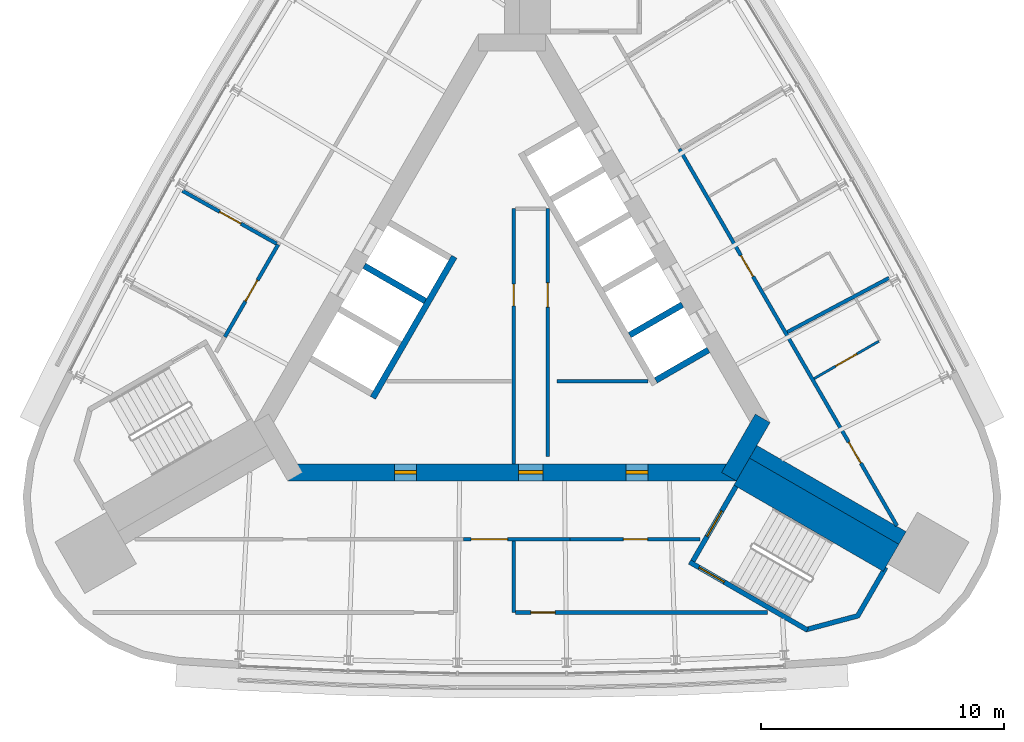
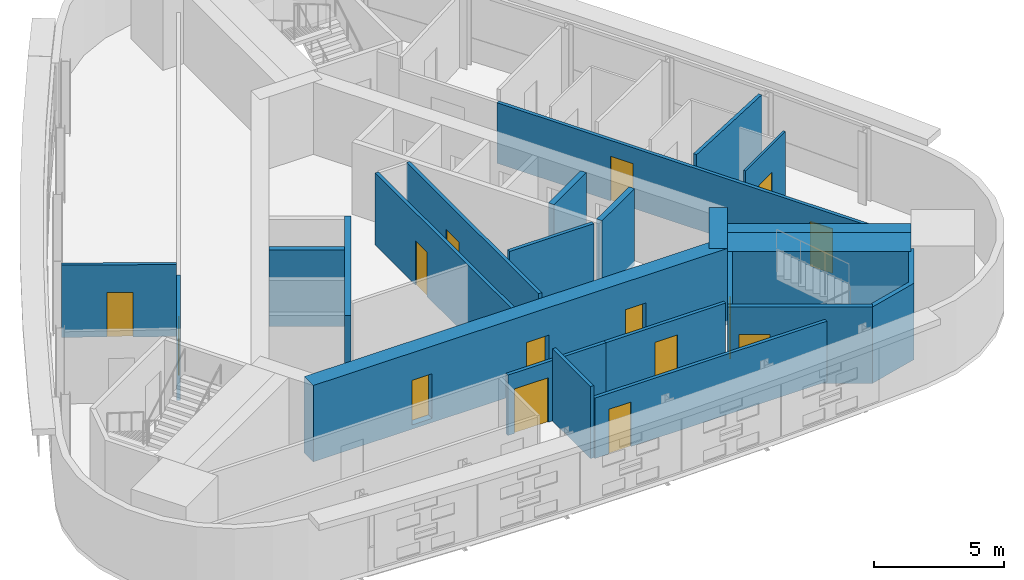
# One storey, part 6 of 10: 23 walls, 15 doors, 15 openings.
"""IFC4 building model written with IfcOpenShell, lengths in metres."""

from ifc_helpers import new_model, si_unit, direction, frame, frame_2d, origin, place, context, subcontext, project, spatial, polyline, rectangle, outline, extrude, material, layer, layer_set, type_object, element, fill, save


model = new_model("IFC4")

# Units and contexts
model_context = context("Model", 3, precision=1e-05, world=origin(), true_north=direction((0.0, 1.0)))
body_context = subcontext(model_context, "Body", "Model", "MODEL_VIEW")
ifc_project = project(units=[si_unit("LENGTHUNIT", "METRE"), si_unit("AREAUNIT", "SQUARE_METRE"), si_unit("VOLUMEUNIT", "CUBIC_METRE"), si_unit("PLANEANGLEUNIT", "RADIAN"), si_unit("MASSUNIT", "GRAM", prefix="KILO")], contexts=[model_context])

# Site, building, storey
site_placement = place(None, origin())
site = spatial("IfcSite", under=ifc_project, at=site_placement, CompositionType="ELEMENT")
building_placement = place(site_placement, origin())
building = spatial("IfcBuilding", under=site, at=building_placement, Name="Noor Cloister Tower", CompositionType="ELEMENT")
storey_placement = place(building_placement, frame((0.0, 0.0, 243.60009765625)))
storey = spatial("IfcBuildingStorey", under=building, at=storey_placement, Name="L63", CompositionType="ELEMENT", Elevation=243.60009765625)

# Wall
ifc_material_1 = material(Name="Concrete C60/75", Category="concrete")
ifc_layer_1 = layer(ifc_material_1, 0.60009765625)
ifc_layer_set_1 = layer_set([ifc_layer_1], Name="Buttress wall 600 C60/75")
wall_type_1 = type_object("IfcWallType", Name="Buttress wall 600 C60/75", PredefinedType="SHEAR", material=ifc_layer_set_1)
wall_1_placement = place(storey_placement, frame((9.921630859375, -5.728271484375, -0.2001953125), z_axis=(0.0, 0.0, 1.0), x_axis=(0.866029688112, -0.499992579254, 0.0)))
element("IfcWall", 1, at=wall_1_placement, inside=storey, type_object=wall_type_1, Name="Buttress wall SE L63", PredefinedType="SHEAR", context=body_context, shape_type="SweptSolid", body=[
    extrude(rectangle(XDim=7.09326171875, YDim=0.60009765625, at=frame_2d((3.546630859375, 0.0))), origin(), (0.0, 0.0, 1.0), 3.60009765625),
])

# Wall, opening, door
ifc_material_2 = material(Name="Concrete C30/37", Category="concrete")
ifc_layer_2 = layer(ifc_material_2, 0.14990234375)
ifc_layer_set_2 = layer_set([ifc_layer_2], Name="Core partition 150 C30/37")
wall_type_2 = type_object("IfcWallType", Name="Core partition 150 C30/37", PredefinedType="PARTITIONING", material=ifc_layer_set_2)
wall_2_placement = place(storey_placement, frame((0.0712890625, 4.271728515625, 0.0), z_axis=(0.0, 0.0, 1.0), x_axis=(0.0, -1.0, 0.0)))
wall_2 = element("IfcWall", 2, at=wall_2_placement, inside=storey, type_object=wall_type_2, Name="Core room partition L63 2", PredefinedType="PARTITIONING", context=body_context, shape_type="SweptSolid", body=[
    extrude(rectangle(XDim=10.5, YDim=0.14990234375, at=frame_2d((5.25, 0.0))), origin(), (0.0, 0.0, 1.0), 3.39990234375),
])
opening_1_placement = place(wall_2_placement, frame((3.10107421875, 0.0, 0.0)))
opening_1 = element("IfcOpeningElement", 3, at=opening_1_placement, cuts=wall_2, Name="Opening L63-904", PredefinedType="OPENING", context=body_context, shape_type="SweptSolid", body=[
    extrude(rectangle(XDim=0.89990234375, YDim=2.10009765625, at=frame_2d((0.449951171875, 1.050048828125))), frame((0.0, 0.0849609375, 0.0), z_axis=(0.0, -1.0, 0.0), x_axis=(1.0, 0.0, 0.0)), (0.0, 0.0, 1.0), 0.169921875),
])
ifc_material_3 = material(Name="Steel", Category="steel")
door_type_1 = type_object("IfcDoorType", Name="Core door 900 x 2100 FD120", OperationType="SINGLE_SWING_LEFT", PredefinedType="DOOR", material=ifc_material_3)
door_1_placement = place(opening_1_placement, origin())
door_1 = element("IfcDoor", 4, at=door_1_placement, inside=storey, type_object=door_type_1, Name="Core door 4 L63", OperationType="SINGLE_SWING_RIGHT", OverallHeight=2.10009765625, OverallWidth=0.89990234375, PredefinedType="DOOR", context=body_context, shape_type="SweptSolid", body=[
    extrude(rectangle(XDim=0.89990234375, YDim=2.10009765625, at=frame_2d((0.449951171875, 1.050048828125))), frame((0.0, 0.02490234375, 0.0), z_axis=(0.0, -1.0, 0.0), x_axis=(1.0, 0.0, 0.0)), (0.0, 0.0, 1.0), 0.050048828125),
])
fill(opening_1, door_1)

wall_3_placement = place(storey_placement, frame((1.47119140625, -5.92822265625, 0.0), z_axis=(0.0, 0.0, 1.0), x_axis=(0.0, 1.0, 0.0)))
wall_3 = element("IfcWall", 5, at=wall_3_placement, inside=storey, type_object=wall_type_2, Name="Core room partition L63 4", PredefinedType="PARTITIONING", context=body_context, shape_type="SweptSolid", body=[
    extrude(rectangle(XDim=10.206298828125, YDim=0.14990234375, at=frame_2d((5.10302734375, 0.0))), origin(), (0.0, 0.0, 1.0), 3.39990234375),
])
opening_2_placement = place(wall_3_placement, frame((6.14990234375, 0.0, 0.0)))
opening_2 = element("IfcOpeningElement", 6, at=opening_2_placement, cuts=wall_3, Name="Opening L63-905", PredefinedType="OPENING", context=body_context, shape_type="SweptSolid", body=[
    extrude(rectangle(XDim=1.0, YDim=2.10009765625, at=frame_2d((0.5, 1.050048828125))), frame((0.0, 0.0849609375, 0.0), z_axis=(0.0, -1.0, 0.0), x_axis=(1.0, 0.0, 0.0)), (0.0, 0.0, 1.0), 0.169921875),
])
ifc_material_4 = material(Name="Steel", Category="steel")
door_type_2 = type_object("IfcDoorType", Name="Core door 1000 x 2100 FD60", OperationType="SINGLE_SWING_LEFT", PredefinedType="DOOR", material=ifc_material_4)
door_2_placement = place(opening_2_placement, origin())
door_2 = element("IfcDoor", 7, at=door_2_placement, inside=storey, type_object=door_type_2, Name="Core door 5 L63", OperationType="SINGLE_SWING_LEFT", OverallHeight=2.10009765625, OverallWidth=1.0, PredefinedType="DOOR", context=body_context, shape_type="SweptSolid", body=[
    extrude(rectangle(XDim=1.0, YDim=2.10009765625, at=frame_2d((0.5, 1.050048828125))), frame((0.0, 0.02490234375, 0.0), z_axis=(0.0, -1.0, 0.0), x_axis=(1.0, 0.0, 0.0)), (0.0, 0.0, 1.0), 0.050048828125),
])
fill(opening_2, door_2)

# Wall
wall_4_placement = place(storey_placement, frame((1.84619140625, -2.828125, 0.0), z_axis=(0.0, 0.0, 1.0), x_axis=(1.0, 0.0, 0.0)))
element("IfcWall", 8, at=wall_4_placement, inside=storey, type_object=wall_type_2, Name="Core room partition L63 5", PredefinedType="PARTITIONING", context=body_context, shape_type="SweptSolid", body=[
    extrude(rectangle(XDim=3.7578125, YDim=0.14990234375, at=frame_2d((1.87890625, 0.0))), origin(), (0.0, 0.0, 1.0), 3.39990234375),
])

# Wall, openings, doors
ifc_material_5 = material(Name="Concrete C60/75", Category="concrete")
ifc_layer_3 = layer(ifc_material_5, 0.699951171875)
ifc_layer_set_3 = layer_set([ifc_layer_3], Name="Core wall 700 C60/75")
wall_type_3 = type_object("IfcWallType", Name="Core wall 700 C60/75", PredefinedType="SHEAR", material=ifc_layer_set_3)
wall_5_placement = place(storey_placement, frame((-9.228759765625, -6.578125, -0.2001953125), z_axis=(0.0, 0.0, 1.0), x_axis=(1.0, 0.0, 0.0)))
wall_5 = element("IfcWall", 9, at=wall_5_placement, inside=storey, type_object=wall_type_3, Name="Core wall L63 1", PredefinedType="SHEAR", context=body_context, shape_type="SweptSolid", body=[
    extrude(rectangle(XDim=18.45751953125, YDim=0.699951171875, at=frame_2d((9.228759765625, 0.0))), origin(), (0.0, 0.0, 1.0), 3.60009765625),
])
opening_3_placement = place(wall_5_placement, frame((9.5, 0.0, 0.199951171875)))
opening_3 = element("IfcOpeningElement", 10, at=opening_3_placement, cuts=wall_5, Name="Opening L63-901", PredefinedType="OPENING", context=body_context, shape_type="SweptSolid", body=[
    extrude(rectangle(XDim=1.0, YDim=2.10009765625, at=frame_2d((0.5, 1.050048828125))), frame((0.0, 0.35986328125, 0.0), z_axis=(0.0, -1.0, 0.0), x_axis=(1.0, 0.0, 0.0)), (0.0, 0.0, 1.0), 0.719970703125),
])
opening_4_placement = place(wall_5_placement, frame((4.402099609375, 0.0, 0.199951171875)))
opening_4 = element("IfcOpeningElement", 11, at=opening_4_placement, cuts=wall_5, Name="Opening L63-902", PredefinedType="OPENING", context=body_context, shape_type="SweptSolid", body=[
    extrude(rectangle(XDim=0.89990234375, YDim=2.10009765625, at=frame_2d((0.449951171875, 1.050048828125))), frame((0.0, 0.35986328125, 0.0), z_axis=(0.0, -1.0, 0.0), x_axis=(1.0, 0.0, 0.0)), (0.0, 0.0, 1.0), 0.719970703125),
])
opening_5_placement = place(wall_5_placement, frame((13.9267578125, 0.0, 0.199951171875)))
opening_5 = element("IfcOpeningElement", 12, at=opening_5_placement, cuts=wall_5, Name="Opening L63-903", PredefinedType="OPENING", context=body_context, shape_type="SweptSolid", body=[
    extrude(rectangle(XDim=0.89990234375, YDim=2.10009765625, at=frame_2d((0.449951171875, 1.050048828125))), frame((0.0, 0.35986328125, 0.0), z_axis=(0.0, -1.0, 0.0), x_axis=(1.0, 0.0, 0.0)), (0.0, 0.0, 1.0), 0.719970703125),
])
ifc_material_6 = material(Name="Steel", Category="steel")
door_type_3 = type_object("IfcDoorType", Name="Core door 1000 x 2100 FD120", OperationType="SINGLE_SWING_LEFT", PredefinedType="DOOR", material=ifc_material_6)
door_3_placement = place(opening_3_placement, origin())
door_3 = element("IfcDoor", 13, at=door_3_placement, inside=storey, type_object=door_type_3, Name="Core door 1 L63", OperationType="SINGLE_SWING_LEFT", OverallHeight=2.10009765625, OverallWidth=1.0, PredefinedType="DOOR", context=body_context, shape_type="SweptSolid", body=[
    extrude(rectangle(XDim=1.0, YDim=2.10009765625, at=frame_2d((0.5, 1.050048828125))), frame((0.0, 0.074951171875, 0.0), z_axis=(0.0, -1.0, 0.0), x_axis=(1.0, 0.0, 0.0)), (0.0, 0.0, 1.0), 0.14990234375),
])
fill(opening_3, door_3)
door_4_placement = place(opening_5_placement, origin())
door_4 = element("IfcDoor", 14, at=door_4_placement, inside=storey, type_object=door_type_1, Name="Core door 3 L63", OperationType="SINGLE_SWING_LEFT", OverallHeight=2.10009765625, OverallWidth=0.89990234375, PredefinedType="DOOR", context=body_context, shape_type="SweptSolid", body=[
    extrude(rectangle(XDim=0.89990234375, YDim=2.10009765625, at=frame_2d((0.449951171875, 1.050048828125))), frame((0.0, 0.074951171875, 0.0), z_axis=(0.0, -1.0, 0.0), x_axis=(1.0, 0.0, 0.0)), (0.0, 0.0, 1.0), 0.14990234375),
])
fill(opening_5, door_4)
ifc_material_7 = material(Name="Steel", Category="steel")
door_type_4 = type_object("IfcDoorType", Name="Core door 900 x 2100 FD60", OperationType="SINGLE_SWING_LEFT", PredefinedType="DOOR", material=ifc_material_7)
door_5_placement = place(opening_4_placement, origin())
door_5 = element("IfcDoor", 15, at=door_5_placement, inside=storey, type_object=door_type_4, Name="Core door 2 L63", OperationType="SINGLE_SWING_RIGHT", OverallHeight=2.10009765625, OverallWidth=0.89990234375, PredefinedType="DOOR", context=body_context, shape_type="SweptSolid", body=[
    extrude(rectangle(XDim=0.89990234375, YDim=2.10009765625, at=frame_2d((0.449951171875, 1.050048828125))), frame((0.0, 0.074951171875, 0.0), z_axis=(0.0, -1.0, 0.0), x_axis=(1.0, 0.0, 0.0)), (0.0, 0.0, 1.0), 0.14990234375),
])
fill(opening_4, door_5)

# Wall
wall_6_placement = place(storey_placement, frame((8.925537109375, -6.753173828125, -0.2001953125), z_axis=(0.0, 0.0, 1.0), x_axis=(0.500042739161, 0.866000726912, 0.0)))
element("IfcWall", 16, at=wall_6_placement, inside=storey, type_object=wall_type_3, Name="Core wall L63 2", PredefinedType="SHEAR", context=body_context, shape_type="SweptSolid", body=[
    extrude(rectangle(XDim=2.771240234375, YDim=0.699951171875, at=frame_2d((1.3857421875, 0.0))), origin(), (0.0, 0.0, 1.0), 3.60009765625),
])

# Wall, opening, door
ifc_material_8 = material(Name="Fire-rated gypsum board partition on steel studs, 150 mm", Category="steel")
ifc_layer_4 = layer(ifc_material_8, 0.14990234375)
ifc_layer_set_4 = layer_set([ifc_layer_4], Name="Fire lobby wall 150")
wall_type_4 = type_object("IfcWallType", Name="Fire lobby wall 150", PredefinedType="PARTITIONING", material=ifc_layer_set_4)
wall_7_placement = place(storey_placement, frame((-9.619873046875, 2.794189453125, 0.0), z_axis=(0.0, 0.0, 1.0), x_axis=(-0.500021421018, -0.866013036001, 0.0)))
wall_7 = element("IfcWall", 17, at=wall_7_placement, inside=storey, type_object=wall_type_4, Name="Wall L63-W25", PredefinedType="PARTITIONING", context=body_context, shape_type="SweptSolid", body=[
    extrude(rectangle(XDim=4.382568359375, YDim=0.14990234375, at=frame_2d((2.19140625, 0.0))), origin(), (0.0, 0.0, 1.0), 2.851806640625),
])
opening_6_placement = place(wall_7_placement, frame((1.69140625, 0.0, 0.0)))
opening_6 = element("IfcOpeningElement", 18, at=opening_6_placement, cuts=wall_7, Name="Opening L63-014", PredefinedType="OPENING", context=body_context, shape_type="SweptSolid", body=[
    extrude(rectangle(XDim=1.0, YDim=2.10009765625, at=frame_2d((0.5, 1.050048828125))), frame((0.0, 0.0849609375, 0.0), z_axis=(0.0, -1.0, 0.0), x_axis=(1.0, 0.0, 0.0)), (0.0, 0.0, 1.0), 0.169921875),
])
ifc_material_9 = material(Name="Timber door leaf with steel frame", Category="steel")
door_type_5 = type_object("IfcDoorType", Name="Fire lobby door 1000", OperationType="NOTDEFINED", PredefinedType="DOOR", material=ifc_material_9)
door_6_placement = place(opening_6_placement, origin())
door_6 = element("IfcDoor", 19, at=door_6_placement, inside=storey, type_object=door_type_5, Name="Door L63-014", OperationType="SINGLE_SWING_RIGHT", OverallHeight=2.10009765625, OverallWidth=1.0, PredefinedType="DOOR", context=body_context, shape_type="SweptSolid", body=[
    extrude(rectangle(XDim=1.0, YDim=2.10009765625, at=frame_2d((0.5, 1.050048828125))), frame((0.0, 0.02490234375, 0.0), z_axis=(0.0, -1.0, 0.0), x_axis=(1.0, 0.0, 0.0)), (0.0, 0.0, 1.0), 0.050048828125),
])
fill(opening_6, door_6)

# Wall, openings, doors
ifc_material_10 = material(Name="Gypsum board partition on steel studs, 150 mm", Category="steel")
ifc_layer_5 = layer(ifc_material_10, 0.14990234375)
ifc_layer_set_5 = layer_set([ifc_layer_5], Name="Flat wall 150")
wall_type_5 = type_object("IfcWallType", Name="Flat wall 150", PredefinedType="PARTITIONING", material=ifc_layer_set_5)
wall_8_placement = place(storey_placement, frame((15.835693359375, -8.771728515625, 0.0), z_axis=(0.0, 0.0, 1.0), x_axis=(-0.500001479768, 0.866024549438, 0.0)))
wall_8 = element("IfcWall", 20, at=wall_8_placement, inside=storey, type_object=wall_type_5, Name="Wall L63-W01", PredefinedType="PARTITIONING", context=body_context, shape_type="SweptSolid", body=[
    extrude(rectangle(XDim=17.89990234375, YDim=0.14990234375, at=frame_2d((8.949951171875, 0.0))), origin(), (0.0, 0.0, 1.0), 2.851806640625),
])
opening_7_placement = place(wall_8_placement, frame((2.972900390625, 0.0, 0.0)))
opening_7 = element("IfcOpeningElement", 21, at=opening_7_placement, cuts=wall_8, Name="Opening L63-003", PredefinedType="OPENING", context=body_context, shape_type="SweptSolid", body=[
    extrude(rectangle(XDim=1.0, YDim=2.10009765625, at=frame_2d((0.5, 1.050048828125))), frame((0.0, 0.0849609375, 0.0), z_axis=(0.0, -1.0, 0.0), x_axis=(1.0, 0.0, 0.0)), (0.0, 0.0, 1.0), 0.169921875),
])
opening_8_placement = place(wall_8_placement, frame((11.83740234375, 0.0, 0.0)))
opening_8 = element("IfcOpeningElement", 22, at=opening_8_placement, cuts=wall_8, Name="Opening L63-005", PredefinedType="OPENING", context=body_context, shape_type="SweptSolid", body=[
    extrude(rectangle(XDim=1.0, YDim=2.10009765625, at=frame_2d((0.5, 1.050048828125))), frame((0.0, 0.0849609375, 0.0), z_axis=(0.0, -1.0, 0.0), x_axis=(1.0, 0.0, 0.0)), (0.0, 0.0, 1.0), 0.169921875),
])
ifc_material_11 = material(Name="Timber door leaf with steel frame", Category="steel")
door_type_6 = type_object("IfcDoorType", Name="Flat entrance door 1000", OperationType="NOTDEFINED", PredefinedType="DOOR", material=ifc_material_11)
door_7_placement = place(opening_7_placement, origin())
door_7 = element("IfcDoor", 23, at=door_7_placement, inside=storey, type_object=door_type_6, Name="Door L63-003", OperationType="SINGLE_SWING_LEFT", OverallHeight=2.10009765625, OverallWidth=1.0, PredefinedType="DOOR", context=body_context, shape_type="SweptSolid", body=[
    extrude(rectangle(XDim=1.0, YDim=2.10009765625, at=frame_2d((0.5, 1.050048828125))), frame((0.0, 0.02490234375, 0.0), z_axis=(0.0, -1.0, 0.0), x_axis=(1.0, 0.0, 0.0)), (0.0, 0.0, 1.0), 0.050048828125),
])
fill(opening_7, door_7)
door_8_placement = place(opening_8_placement, origin())
door_8 = element("IfcDoor", 24, at=door_8_placement, inside=storey, type_object=door_type_6, Name="Door L63-005", OperationType="SINGLE_SWING_LEFT", OverallHeight=2.10009765625, OverallWidth=1.0, PredefinedType="DOOR", context=body_context, shape_type="SweptSolid", body=[
    extrude(rectangle(XDim=1.0, YDim=2.10009765625, at=frame_2d((0.5, 1.050048828125))), frame((0.0, 0.02490234375, 0.0), z_axis=(0.0, -1.0, 0.0), x_axis=(1.0, 0.0, 0.0)), (0.0, 0.0, 1.0), 0.050048828125),
])
fill(opening_8, door_8)

# Wall
wall_9_placement = place(storey_placement, frame((15.51806640625, 1.42529296875, 0.0), z_axis=(0.0, 0.0, 1.0), x_axis=(-0.882718227231, -0.469902682812, 0.0)))
element("IfcWall", 25, at=wall_9_placement, inside=storey, type_object=wall_type_5, Name="Wall L63-W08", PredefinedType="PARTITIONING", context=body_context, shape_type="SweptSolid", body=[
    extrude(rectangle(XDim=4.751220703125, YDim=0.14990234375, at=frame_2d((2.37548828125, 0.0))), origin(), (0.0, 0.0, 1.0), 3.39990234375),
])

# Wall, opening, door
wall_10_placement = place(storey_placement, frame((2.385498046875, -9.328125, 0.0), z_axis=(0.0, 0.0, 1.0), x_axis=(1.0, 0.0, 0.0)))
wall_10 = element("IfcWall", 26, at=wall_10_placement, inside=storey, type_object=wall_type_5, Name="Wall L63-W15", PredefinedType="PARTITIONING", context=body_context, shape_type="SweptSolid", body=[
    extrude(rectangle(XDim=5.342041015625, YDim=0.14990234375, at=frame_2d((2.6708984375, 0.0))), origin(), (0.0, 0.0, 1.0), 2.851806640625),
])
opening_9_placement = place(wall_10_placement, frame((2.196044921875, 0.0, 0.0)))
opening_9 = element("IfcOpeningElement", 27, at=opening_9_placement, cuts=wall_10, Name="Opening L63-013", PredefinedType="OPENING", context=body_context, shape_type="SweptSolid", body=[
    extrude(rectangle(XDim=1.0, YDim=2.10009765625, at=frame_2d((0.5, 1.050048828125))), frame((0.0, 0.0849609375, 0.0), z_axis=(0.0, -1.0, 0.0), x_axis=(1.0, 0.0, 0.0)), (0.0, 0.0, 1.0), 0.169921875),
])
ifc_material_12 = material(Name="Timber door leaf with steel frame", Category="steel")
door_type_7 = type_object("IfcDoorType", Name="Interior door 1000 FD60", OperationType="NOTDEFINED", PredefinedType="DOOR", material=ifc_material_12)
door_9_placement = place(opening_9_placement, origin())
door_9 = element("IfcDoor", 28, at=door_9_placement, inside=storey, type_object=door_type_7, Name="Door L63-013", OperationType="SINGLE_SWING_LEFT", OverallHeight=2.10009765625, OverallWidth=1.0, PredefinedType="DOOR", context=body_context, shape_type="SweptSolid", body=[
    extrude(rectangle(XDim=1.0, YDim=2.10009765625, at=frame_2d((0.5, 1.050048828125))), frame((0.0, 0.02490234375, 0.0), z_axis=(0.0, -1.0, 0.0), x_axis=(1.0, 0.0, 0.0)), (0.0, 0.0, 1.0), 0.050048828125),
])
fill(opening_9, door_9)

wall_11_placement = place(storey_placement, frame((-1.985595703125, -9.328125, 0.0), z_axis=(0.0, 0.0, 1.0), x_axis=(1.0, 0.0, 0.0)))
wall_11 = element("IfcWall", 29, at=wall_11_placement, inside=storey, type_object=wall_type_5, Name="Wall L63-W16", PredefinedType="PARTITIONING", context=body_context, shape_type="SweptSolid", body=[
    extrude(rectangle(XDim=4.37109375, YDim=0.14990234375, at=frame_2d((2.185546875, 0.0))), origin(), (0.0, 0.0, 1.0), 2.851806640625),
])
opening_10_placement = place(wall_11_placement, frame((0.306640625, 0.0, 0.0)))
opening_10 = element("IfcOpeningElement", 30, at=opening_10_placement, cuts=wall_11, Name="Opening L63-009", PredefinedType="OPENING", context=body_context, shape_type="SweptSolid", body=[
    extrude(rectangle(XDim=1.5, YDim=2.10009765625, at=frame_2d((0.75, 1.050048828125))), frame((0.0, 0.0849609375, 0.0), z_axis=(0.0, -1.0, 0.0), x_axis=(1.0, 0.0, 0.0)), (0.0, 0.0, 1.0), 0.169921875),
])
ifc_material_13 = material(Name="Timber door leaf with steel frame", Category="steel")
door_type_8 = type_object("IfcDoorType", Name="Double door 1500 FD60", OperationType="NOTDEFINED", PredefinedType="DOOR", material=ifc_material_13)
door_10_placement = place(opening_10_placement, origin())
door_10 = element("IfcDoor", 31, at=door_10_placement, inside=storey, type_object=door_type_8, Name="Door L63-009", OperationType="DOUBLE_DOOR_SINGLE_SWING", OverallHeight=2.10009765625, OverallWidth=1.5, PredefinedType="DOOR", context=body_context, shape_type="SweptSolid", body=[
    extrude(rectangle(XDim=1.5, YDim=2.10009765625, at=frame_2d((0.75, 1.050048828125))), frame((0.0, 0.02490234375, 0.0), z_axis=(0.0, -1.0, 0.0), x_axis=(1.0, 0.0, 0.0)), (0.0, 0.0, 1.0), 0.050048828125),
])
fill(opening_10, door_10)

# Wall
wall_12_placement = place(storey_placement, frame((0.077880859375, -9.4033203125, 0.0), z_axis=(0.0, 0.0, 1.0), x_axis=(0.0, -1.0, 0.0)))
element("IfcWall", 32, at=wall_12_placement, inside=storey, type_object=wall_type_5, Name="Wall L63-W18", PredefinedType="PARTITIONING", context=body_context, shape_type="SweptSolid", body=[
    extrude(rectangle(XDim=2.9365234375, YDim=0.14990234375, at=frame_2d((1.46826171875, 0.0))), origin(), (0.0, 0.0, 1.0), 3.39990234375),
])

# Wall, opening, door
wall_13_placement = place(storey_placement, frame((0.153076171875, -12.33984375, 0.0), z_axis=(0.0, 0.0, 1.0), x_axis=(1.0, 0.0, 0.0)))
wall_13 = element("IfcWall", 33, at=wall_13_placement, inside=storey, type_object=wall_type_5, Name="Wall L63-W20", PredefinedType="PARTITIONING", context=body_context, shape_type="SweptSolid", body=[
    extrude(rectangle(XDim=10.34912109375, YDim=0.14990234375, at=frame_2d((5.174560546875, 0.0))), origin(), (0.0, 0.0, 1.0), 2.851806640625),
])
opening_11_placement = place(wall_13_placement, frame((0.625, 0.0, 0.0)))
opening_11 = element("IfcOpeningElement", 34, at=opening_11_placement, cuts=wall_13, Name="Opening L63-012", PredefinedType="OPENING", context=body_context, shape_type="SweptSolid", body=[
    extrude(rectangle(XDim=1.0, YDim=2.10009765625, at=frame_2d((0.5, 1.050048828125))), frame((0.0, 0.0849609375, 0.0), z_axis=(0.0, -1.0, 0.0), x_axis=(1.0, 0.0, 0.0)), (0.0, 0.0, 1.0), 0.169921875),
])
door_11_placement = place(opening_11_placement, origin())
door_11 = element("IfcDoor", 35, at=door_11_placement, inside=storey, type_object=door_type_7, Name="Door L63-012", OperationType="SINGLE_SWING_RIGHT", OverallHeight=2.10009765625, OverallWidth=1.0, PredefinedType="DOOR", context=body_context, shape_type="SweptSolid", body=[
    extrude(rectangle(XDim=1.0, YDim=2.10009765625, at=frame_2d((0.5, 1.050048828125))), frame((0.0, 0.02490234375, 0.0), z_axis=(0.0, -1.0, 0.0), x_axis=(1.0, 0.0, 0.0)), (0.0, 0.0, 1.0), 0.050048828125),
])
fill(opening_11, door_11)

wall_14_placement = place(storey_placement, frame((-13.557861328125, 5.008056640625, 0.0), z_axis=(0.0, 0.0, 1.0), x_axis=(0.871701726161, -0.490036835971, 0.0)))
wall_14 = element("IfcWall", 36, at=wall_14_placement, inside=storey, type_object=wall_type_5, Name="Wall L63-W23", PredefinedType="PARTITIONING", context=body_context, shape_type="SweptSolid", body=[
    extrude(rectangle(XDim=4.442626953125, YDim=0.14990234375, at=frame_2d((2.22119140625, 0.0))), origin(), (0.0, 0.0, 1.0), 3.39990234375),
])
opening_12_placement = place(wall_14_placement, frame((1.7587890625, 0.0, 0.0)))
opening_12 = element("IfcOpeningElement", 37, at=opening_12_placement, cuts=wall_14, Name="Opening L63-015", PredefinedType="OPENING", context=body_context, shape_type="SweptSolid", body=[
    extrude(rectangle(XDim=1.0, YDim=2.10009765625, at=frame_2d((0.5, 1.050048828125))), frame((0.0, 0.0849609375, 0.0), z_axis=(0.0, -1.0, 0.0), x_axis=(1.0, 0.0, 0.0)), (0.0, 0.0, 1.0), 0.169921875),
])
door_12_placement = place(opening_12_placement, origin())
door_12 = element("IfcDoor", 38, at=door_12_placement, inside=storey, type_object=door_type_7, Name="Door L63-015", OperationType="SINGLE_SWING_LEFT", OverallHeight=2.10009765625, OverallWidth=1.0, PredefinedType="DOOR", context=body_context, shape_type="SweptSolid", body=[
    extrude(rectangle(XDim=1.0, YDim=2.10009765625, at=frame_2d((0.5, 1.050048828125))), frame((0.0, 0.02490234375, 0.0), z_axis=(0.0, -1.0, 0.0), x_axis=(1.0, 0.0, 0.0)), (0.0, 0.0, 1.0), 0.050048828125),
])
fill(opening_12, door_12)

ifc_material_14 = material(Name="Gypsum board partition on steel studs, 100 mm", Category="steel")
ifc_layer_6 = layer(ifc_material_14, 0.10009765625)
ifc_layer_set_6 = layer_set([ifc_layer_6], Name="Partition 100")
wall_type_6 = type_object("IfcWallType", Name="Partition 100", PredefinedType="PARTITIONING", material=ifc_layer_set_6)
wall_15_placement = place(storey_placement, frame((15.0908203125, -1.181640625, 0.0), z_axis=(0.0, 0.0, 1.0), x_axis=(-0.866016353143, -0.500015675843, 0.0)))
wall_15 = element("IfcWall", 39, at=wall_15_placement, inside=storey, type_object=wall_type_6, Name="Wall L63-W07", PredefinedType="PARTITIONING", context=body_context, shape_type="SweptSolid", body=[
    extrude(rectangle(XDim=3.0751953125, YDim=0.10009765625, at=frame_2d((1.53759765625, 0.0))), origin(), (0.0, 0.0, 1.0), 3.39990234375),
])
opening_13_placement = place(wall_15_placement, frame((1.050048828125, 0.0, 0.0)))
opening_13 = element("IfcOpeningElement", 40, at=opening_13_placement, cuts=wall_15, Name="Opening L63-002", PredefinedType="OPENING", context=body_context, shape_type="SweptSolid", body=[
    extrude(rectangle(XDim=1.0, YDim=2.10009765625, at=frame_2d((0.5, 1.050048828125))), frame((0.0, 0.06005859375, 0.0), z_axis=(0.0, -1.0, 0.0), x_axis=(1.0, 0.0, 0.0)), (0.0, 0.0, 1.0), 0.1201171875),
])
ifc_material_15 = material(Name="Timber door leaf with steel frame", Category="steel")
door_type_9 = type_object("IfcDoorType", Name="Interior door 1000", OperationType="NOTDEFINED", PredefinedType="DOOR", material=ifc_material_15)
door_13_placement = place(opening_13_placement, origin())
door_13 = element("IfcDoor", 41, at=door_13_placement, inside=storey, type_object=door_type_9, Name="Door L63-002", OperationType="SINGLE_SWING_RIGHT", OverallHeight=2.10009765625, OverallWidth=1.0, PredefinedType="DOOR", context=body_context, shape_type="SweptSolid", body=[
    extrude(rectangle(XDim=1.0, YDim=2.10009765625, at=frame_2d((0.5, 1.050048828125))), frame((0.0, 0.02490234375, 0.0), z_axis=(0.0, -1.0, 0.0), x_axis=(1.0, 0.0, 0.0)), (0.0, 0.0, 1.0), 0.050048828125),
])
fill(opening_13, door_13)

# Walls
ifc_material_16 = material(Name="Concrete C60/75", Category="concrete")
ifc_layer_7 = layer(ifc_material_16, 0.25)
ifc_layer_set_7 = layer_set([ifc_layer_7], Name="Shaft wall 250 C60/75")
wall_type_7 = type_object("IfcWallType", Name="Shaft wall 250 C60/75", PredefinedType="PARTITIONING", material=ifc_layer_set_7)
for number, where, z_axis, x_axis, name in (
    (42, (8.081298828125, -1.540771484375, -0.2001953125), (0.0, 0.0, 1.0), (-0.866022959057, -0.500004234368, 0.0), "Lift shaft wall L63 NE 1"),
    (43, (7.00634765625, 0.3212890625, -0.2001953125), (0.0, 0.0, 1.0), (-0.866022959057, -0.500004234368, 0.0), "Lift shaft wall L63 NE 2"),
):
    element("IfcWall", number, at=place(storey_placement, frame(where, z_axis=z_axis, x_axis=x_axis)), inside=storey, type_object=wall_type_7, Name=name, PredefinedType="PARTITIONING", context=body_context, shape_type="SweptSolid", body=[
        extrude(rectangle(XDim=2.5, YDim=0.25, at=frame_2d((1.25, 0.0))), origin(), (0.0, 0.0, 1.0), 3.60009765625),
    ])
wall_16_placement = place(storey_placement, frame((-6.081298828125, 1.92333984375, -0.2001953125), z_axis=(0.0, 0.0, 1.0), x_axis=(0.866032775405, -0.499987231761, 0.0)))
element("IfcWall", 44, at=wall_16_placement, inside=storey, type_object=wall_type_7, Name="Lift shaft wall L63 NW 4", PredefinedType="PARTITIONING", context=body_context, shape_type="SweptSolid", body=[
    extrude(rectangle(XDim=2.89990234375, YDim=0.25, at=frame_2d((1.449951171875, 0.0))), origin(), (0.0, 0.0, 1.0), 3.60009765625),
])
wall_17_placement = place(storey_placement, frame((-2.3740234375, 2.29443359375, 0.0), z_axis=(0.0, 0.0, 1.0), x_axis=(-0.500003174267, -0.866023571113, 0.0)))
element("IfcWall", 45, at=wall_17_placement, inside=storey, type_object=wall_type_7, Name="Lift shaft back wall L63 NW", PredefinedType="PARTITIONING", context=body_context, shape_type="SweptSolid", body=[
    extrude(rectangle(XDim=6.7001953125, YDim=0.25, at=frame_2d((3.35009765625, 0.0))), origin(), (0.0, 0.0, 1.0), 3.39990234375),
])
ifc_material_17 = material(Name="Concrete C60/75", Category="concrete")
ifc_layer_8 = layer(ifc_material_17, 1.285888671875)
ifc_layer_set_8 = layer_set([ifc_layer_8], Name="Stair enclosure wall 1286 C60/75")
wall_type_8 = type_object("IfcWallType", Name="Stair enclosure wall 1286 C60/75", PredefinedType="SHEAR", material=ifc_layer_set_8)
wall_18_placement = place(storey_placement, frame((9.4501953125, -6.544677734375, -0.2001953125), z_axis=(0.0, 0.0, 1.0), x_axis=(0.866023389271, -0.500003489223, 0.0)))
element("IfcWall", 46, at=wall_18_placement, inside=storey, type_object=wall_type_8, Name="Stair enclosure wall ST3 L63 riser side", PredefinedType="SHEAR", context=body_context, shape_type="SweptSolid", body=[
    extrude(rectangle(XDim=7.09375, YDim=1.28564453125, at=frame_2d((3.546875, 0.0))), origin(), (0.0, 0.0, 1.0), 3.60009765625),
])

# Wall, opening, door
ifc_material_18 = material(Name="Concrete C60/75", Category="concrete")
ifc_layer_9 = layer(ifc_material_18, 0.199951171875)
ifc_layer_set_9 = layer_set([ifc_layer_9], Name="Stair enclosure wall 200 C60/75")
wall_type_9 = type_object("IfcWallType", Name="Stair enclosure wall 200 C60/75", PredefinedType="SHEAR", material=ifc_layer_set_9)
wall_19_placement = place(storey_placement, frame((7.440185546875, -10.225830078125, -0.2001953125), z_axis=(0.0, 0.0, 1.0), x_axis=(0.500022077904, 0.866012656725, 0.0)))
wall_19 = element("IfcWall", 47, at=wall_19_placement, inside=storey, type_object=wall_type_9, Name="Stair enclosure wall ST3 L63 near end", PredefinedType="SHEAR", context=body_context, shape_type="SweptSolid", body=[
    extrude(rectangle(XDim=3.550048828125, YDim=0.199951171875, at=frame_2d((1.77490234375, 0.0))), origin(), (0.0, 0.0, 1.0), 3.60009765625),
])
opening_14_placement = place(wall_19_placement, frame((1.175048828125, 0.0, 0.199951171875)))
opening_14 = element("IfcOpeningElement", 48, at=opening_14_placement, cuts=wall_19, Name="Opening L63-ST3L", PredefinedType="OPENING", context=body_context, shape_type="SweptSolid", body=[
    extrude(rectangle(XDim=1.199951171875, YDim=2.10009765625, at=frame_2d((0.60009765625, 1.050048828125))), frame((0.0, 0.10986328125, 0.0), z_axis=(0.0, -1.0, 0.0), x_axis=(1.0, 0.0, 0.0)), (0.0, 0.0, 1.0), 0.219970703125),
])
ifc_material_19 = material(Name="Steel", Category="steel")
door_type_10 = type_object("IfcDoorType", Name="Stair door 1200 x 2100 FD120", OperationType="SINGLE_SWING_LEFT", PredefinedType="DOOR", material=ifc_material_19)
door_14_placement = place(opening_14_placement, origin())
door_14 = element("IfcDoor", 49, at=door_14_placement, inside=storey, type_object=door_type_10, Name="Stair door ST3 L63", OperationType="SINGLE_SWING_RIGHT", OverallHeight=2.10009765625, OverallWidth=1.199951171875, PredefinedType="DOOR", context=body_context, shape_type="SweptSolid", body=[
    extrude(rectangle(XDim=1.199951171875, YDim=2.10009765625, at=frame_2d((0.60009765625, 1.050048828125))), frame((0.0, 0.02490234375, 0.0), z_axis=(0.0, -1.0, 0.0), x_axis=(1.0, 0.0, 0.0)), (0.0, 0.0, 1.0), 0.050048828125),
])
fill(opening_14, door_14)

wall_20_placement = place(storey_placement, frame((7.3037109375, -10.262451171875, -0.2001953125), z_axis=(0.0, 0.0, 1.0), x_axis=(0.866026594901, -0.49999793692, 0.0)))
wall_20 = element("IfcWall", 50, at=wall_20_placement, inside=storey, type_object=wall_type_9, Name="Stair enclosure wall ST3 L63 outer side", PredefinedType="SHEAR", context=body_context, shape_type="SweptSolid", body=[
    extrude(rectangle(XDim=5.60009765625, YDim=0.199951171875, at=frame_2d((2.800048828125, 0.0))), origin(), (0.0, 0.0, 1.0), 3.60009765625),
])
opening_15_placement = place(wall_20_placement, frame((0.449951171875, 0.0, 0.199951171875)))
opening_15 = element("IfcOpeningElement", 51, at=opening_15_placement, cuts=wall_20, Name="Opening L63-ST3C", PredefinedType="OPENING", context=body_context, shape_type="SweptSolid", body=[
    extrude(rectangle(XDim=1.199951171875, YDim=2.10009765625, at=frame_2d((0.60009765625, 1.050048828125))), frame((0.0, 0.10986328125, 0.0), z_axis=(0.0, -1.0, 0.0), x_axis=(1.0, 0.0, 0.0)), (0.0, 0.0, 1.0), 0.219970703125),
])
door_15_placement = place(opening_15_placement, origin())
door_15 = element("IfcDoor", 52, at=door_15_placement, inside=storey, type_object=door_type_10, Name="Stair door ST3 L63", OperationType="SINGLE_SWING_LEFT", OverallHeight=2.10009765625, OverallWidth=1.199951171875, PredefinedType="DOOR", context=body_context, shape_type="SweptSolid", body=[
    extrude(rectangle(XDim=1.199951171875, YDim=2.10009765625, at=frame_2d((0.60009765625, 1.050048828125))), frame((0.0, 0.02490234375, 0.0), z_axis=(0.0, -1.0, 0.0), x_axis=(1.0, 0.0, 0.0)), (0.0, 0.0, 1.0), 0.050048828125),
])
fill(opening_15, door_15)

# Wall
ifc_material_20 = material(Name="Concrete C60/75", Category="concrete")
wall_type_10 = type_object("IfcWallType", Name="Stair far end wall C60/75", PredefinedType="SHEAR", material=ifc_material_20)
wall_21_placement = place(storey_placement, frame((0.0, 0.0, -0.2001953125)))
element("IfcWall", 53, at=wall_21_placement, inside=storey, type_object=wall_type_10, Name="Stair enclosure wall ST3 L63 far end", PredefinedType="SHEAR", context=body_context, shape_type="SweptSolid", body=[
    extrude(outline(polyline([(12.103515625, -13.14892578125), (14.2890625, -12.5634765625), (15.464111328125, -10.5283203125), (15.3720703125, -10.47509765625), (15.27197265625, -10.648193359375), (15.27197265625, -10.648193359375), (15.27197265625, -10.648193359375), (15.27197265625, -10.648193359375), (15.27197265625, -10.648193359375), (15.27197265625, -10.648193359375), (15.27197265625, -10.648193359375), (15.27197265625, -10.648193359375), (15.27197265625, -10.648193359375), (15.27197265625, -10.648193359375), (15.27197265625, -10.648193359375), (15.27197265625, -10.648193359375), (15.27197265625, -10.648193359375), (15.27197265625, -10.648193359375), (15.27197265625, -10.648193359375), (15.27197265625, -10.648193359375), (15.27197265625, -10.648193359375), (15.19091796875, -10.601318359375), (14.1572265625, -12.3916015625), (12.131591796875, -12.934326171875), (12.20361328125, -12.975830078125), (12.20361328125, -12.975830078125), (12.20361328125, -12.975830078125), (12.20361328125, -12.975830078125), (12.20361328125, -12.975830078125), (12.20361328125, -12.975830078125), (12.20361328125, -12.975830078125), (12.20361328125, -12.975830078125), (12.20361328125, -12.975830078125), (12.20361328125, -12.975830078125), (12.20361328125, -12.975830078125), (12.20361328125, -12.975830078125), (12.20361328125, -12.975830078125), (12.20361328125, -12.975830078125), (12.20361328125, -12.975830078125), (12.20361328125, -12.975830078125), (12.20361328125, -12.975830078125), (12.103515625, -13.14892578125)])), origin(), (0.0, 0.0, 1.0), 3.60009765625),
])

save(model, "model.ifc")
